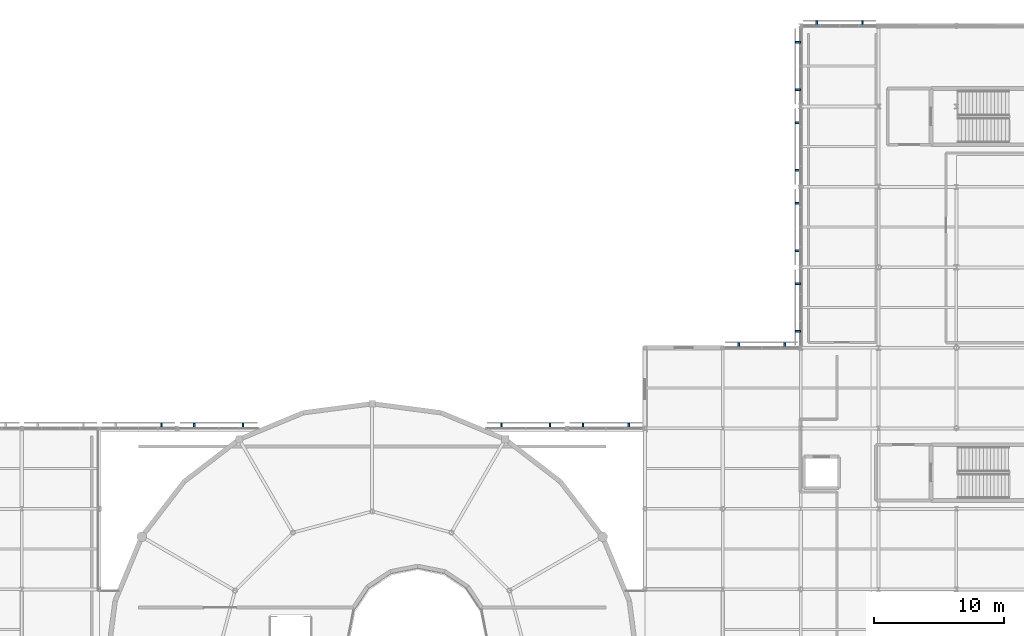
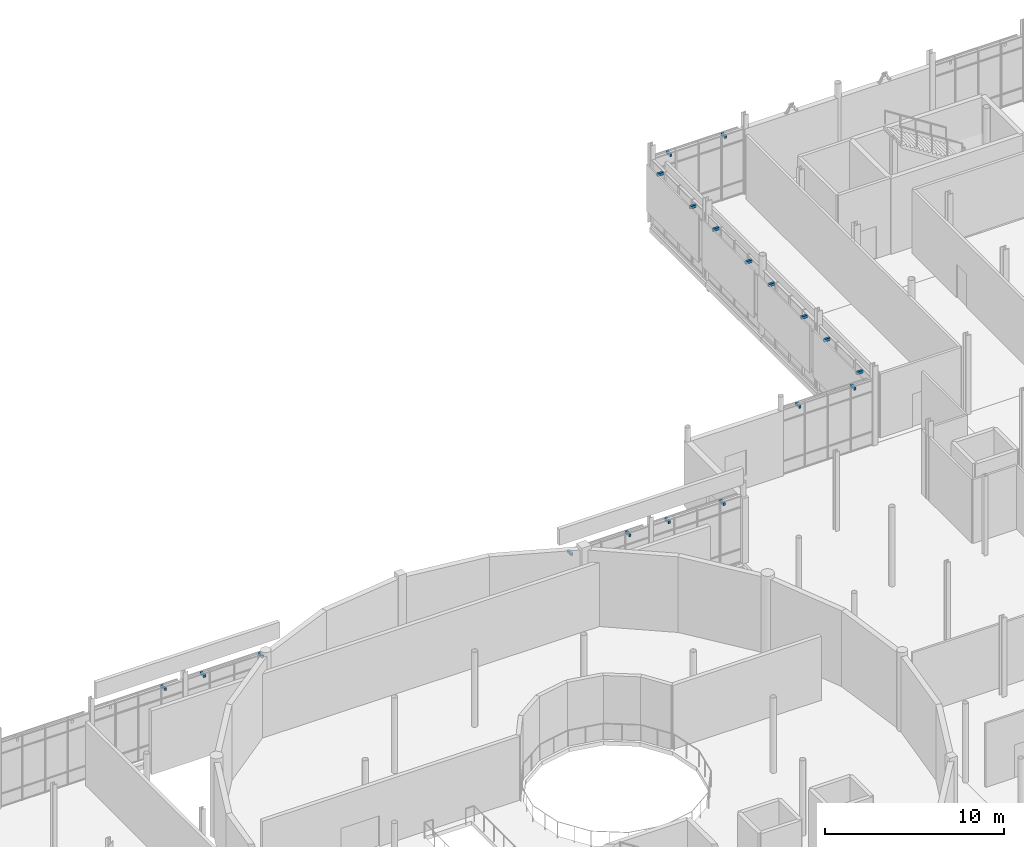
# One storey, part 82 of 105: 19 discrete accessories.
"""IFC4 building model written with IfcOpenShell, lengths in metres."""

import ifcopenshell
import ifcopenshell.guid

model = None  # the IFC model being written
_history = None  # IfcOwnerHistory: only IFC2X3 demands one
_inside = {}  # id of a spatial element -> (the spatial element, [elements in it])
_under = {}  # id of a project, library or spatial element -> (it, [spatial elements below it])
_declared = {}  # id of a project -> (the project, [libraries it declares])
_typed = {}  # id of a type object -> (the type object, [elements of that type])
_made_of = {}  # id of a material, layer set ... -> (it, [elements and type objects made of it])


def new_model(schema):
    """Start an empty IFC model of exactly this schema.

    Asked for "IFC4X3", IfcOpenShell would pick the latest addendum, in which some entities
    have other attributes; the version numbers below select the first issue.
    IFC2X3 requires an IfcOwnerHistory on every rooted entity: one is made here for all.
    """
    global model, _history
    if schema == "IFC4X3":
        model = ifcopenshell.file(schema_version=(4, 3, 0, 0))
    else:
        model = ifcopenshell.file(schema=schema)
    _inside.clear()
    _under.clear()
    _declared.clear()
    _typed.clear()
    _made_of.clear()
    _history = None
    if model.schema == "IFC2X3":
        org = make("IfcOrganization", Name="unknown")
        user = make(
            "IfcPersonAndOrganization",
            ThePerson=make("IfcPerson", FamilyName="unknown"),
            TheOrganization=org,
        )
        app = make(
            "IfcApplication",
            ApplicationDeveloper=org,
            Version="unknown",
            ApplicationFullName="unknown",
            ApplicationIdentifier="unknown",
        )
        _history = make(
            "IfcOwnerHistory",
            OwningUser=user,
            OwningApplication=app,
            ChangeAction="ADDED",
            CreationDate=0,
        )
    return model


def make(cls, **values):
    """One entity of the class cls with the attributes given. An attribute that is None is left unset."""
    return model.create_entity(
        cls, **{name: value for name, value in values.items() if value is not None}
    )


def rooted(cls, **values):
    """An entity with a GlobalId (a new one), such as an element, a storey or a relation."""
    return make(cls, GlobalId=ifcopenshell.guid.new(), OwnerHistory=_history, **values)


def si_unit(unit_type, name, prefix=None):
    """IfcSIUnit, for example si_unit("LENGTHUNIT", "METRE", prefix="MILLI")."""
    return make("IfcSIUnit", UnitType=unit_type, Prefix=prefix, Name=name)


def assignment(units):
    """IfcUnitAssignment: the units of a project."""
    return None if units is None else make("IfcUnitAssignment", Units=units)


def point(xyz):
    """IfcCartesianPoint."""
    return None if xyz is None else make("IfcCartesianPoint", Coordinates=xyz)


def direction(xyz):
    """IfcDirection."""
    return None if xyz is None else make("IfcDirection", DirectionRatios=xyz)


def frame(location, z_axis=None, x_axis=None):
    """IfcAxis2Placement3D, a coordinate frame: its origin and axes. An axis left out is left unset."""
    return make(
        "IfcAxis2Placement3D",
        Location=point(location),
        Axis=direction(z_axis),
        RefDirection=direction(x_axis),
    )


def frame_2d(location, x_axis=None):
    """IfcAxis2Placement2D, a coordinate frame in the plane: its origin and x axis."""
    return make(
        "IfcAxis2Placement2D", Location=point(location), RefDirection=direction(x_axis)
    )


def origin():
    """The frame at (0, 0, 0) with its axes left unset."""
    return frame((0.0, 0.0, 0.0))


def origin_2d():
    """The frame at (0, 0) in the plane with its x axis left unset."""
    return frame_2d((0.0, 0.0))


def place(relative_to, where):
    """IfcLocalPlacement: puts the frame where relative to a parent placement (None: the world)."""
    return make(
        "IfcLocalPlacement", PlacementRelTo=relative_to, RelativePlacement=where
    )


def context(
    kind, dimensions, precision=None, world=None, true_north=None, identifier=None
):
    """IfcGeometricRepresentationContext, for example the 3D "Model" context."""
    return make(
        "IfcGeometricRepresentationContext",
        ContextIdentifier=identifier,
        ContextType=kind,
        CoordinateSpaceDimension=dimensions,
        Precision=precision,
        WorldCoordinateSystem=world,
        TrueNorth=true_north,
    )


def subcontext(parent, identifier, kind, view, scale=None):
    """IfcGeometricRepresentationSubContext, for example "Body" below "Model"."""
    return make(
        "IfcGeometricRepresentationSubContext",
        ContextIdentifier=identifier,
        ContextType=kind,
        ParentContext=parent,
        TargetScale=scale,
        TargetView=view,
    )


def project(units=None, contexts=None):
    """IfcProject with its units and contexts."""
    return rooted(
        "IfcProject",
        Name="project",
        RepresentationContexts=contexts,
        UnitsInContext=assignment(units),
    )


def spatial(cls, under=None, at=None, **own):
    """A site, building, storey or space (cls), placed at a placement, below another one or the project."""
    s = rooted(cls, ObjectPlacement=at, **own)
    if under is not None:
        _under.setdefault(under.id(), (under, []))[1].append(s)
    return s


def profile(cls, at=None, kind="AREA", **sizes):
    """A parametric profile (cls). Its sizes go by their IFC names, for example OverallWidth=200.0."""
    return make(cls, ProfileType=kind, Position=at, **sizes)


def rectangle(**sizes):
    """IfcRectangleProfileDef."""
    return profile("IfcRectangleProfileDef", **sizes)


def extrude(swept, where, along, depth):
    """IfcExtrudedAreaSolid: the profile swept, set in the frame where, extruded along a direction by depth."""
    return make(
        "IfcExtrudedAreaSolid",
        SweptArea=swept,
        Position=where,
        ExtrudedDirection=direction(along),
        Depth=depth,
    )


def shape(context_of_items, identifier, shape_type, items):
    """IfcShapeRepresentation: the items that make up one representation, for example the "Body"."""
    return make(
        "IfcShapeRepresentation",
        ContextOfItems=context_of_items,
        RepresentationIdentifier=identifier,
        RepresentationType=shape_type,
        Items=items,
    )


def material(Name=None, Category=None):
    """IfcMaterial."""
    return make("IfcMaterial", Name=Name, Category=Category)


def made_of(thing, what):
    """Note that an element or type object is made of a material, layer set ...; save() writes the relation."""
    if what is not None:
        _made_of.setdefault(what.id(), (what, []))[1].append(thing)
    return thing


def type_object(cls, material=None, **own):
    """A type object (cls), such as IfcWallType, which elements share."""
    return made_of(rooted(cls, **own), material)


def element(
    cls,
    number,
    at=None,
    inside=None,
    cuts=None,
    type_object=None,
    material=None,
    context=None,
    identifier="Body",
    shape_type=None,
    held_by="IfcProductDefinitionShape",
    body=None,
    shapes=None,
    **own,
):
    """One element of the class cls, such as IfcWall. Its Tag is "e" and its number.

    at: its placement. inside: the storey or other place that contains it. cuts: it is an
    opening in that element (IfcRelVoidsElement). A single representation is given by context,
    identifier, shape_type and body (its items); several are given by shapes. held_by: the class
    of the entity that holds the representations. save() writes the other relations.
    """
    e = rooted(cls, Tag="e%d" % number, ObjectPlacement=at, **own)
    if body is not None:
        shapes = [shape(context, identifier, shape_type, body)]
    if shapes is not None:
        e.Representation = make(held_by, Representations=shapes)
    if inside is not None:
        _inside.setdefault(inside.id(), (inside, []))[1].append(e)
    if cuts is not None:
        rooted(
            "IfcRelVoidsElement", RelatingBuildingElement=cuts, RelatedOpeningElement=e
        )
    if type_object is not None:
        _typed.setdefault(type_object.id(), (type_object, []))[1].append(e)
    return made_of(e, material)


def aggregate(whole, parts):
    """IfcRelAggregates: a whole, such as a stair, and the parts it consists of."""
    return rooted("IfcRelAggregates", RelatingObject=whole, RelatedObjects=parts)


def save(model, path):
    """Write the relations noted so far, then the file.

    IfcRelAggregates (storeys below a building ...), IfcRelContainedInSpatialStructure (elements
    in a storey), IfcRelDefinesByType, IfcRelAssociatesMaterial and IfcRelDeclares: one each for
    every whole, place, type object, material and project.
    """
    for whole, parts in _under.values():
        aggregate(whole, parts)
    for where, things in _inside.values():
        rooted(
            "IfcRelContainedInSpatialStructure",
            RelatedElements=things,
            RelatingStructure=where,
        )
    for kind, things in _typed.values():
        rooted("IfcRelDefinesByType", RelatedObjects=things, RelatingType=kind)
    for what, things in _made_of.values():
        rooted("IfcRelAssociatesMaterial", RelatedObjects=things, RelatingMaterial=what)
    for by, libraries in _declared.values():
        rooted("IfcRelDeclares", RelatingContext=by, RelatedDefinitions=libraries)
    model.write(path)


model = new_model("IFC4")

# Units and contexts
model_context = context("Model", 3, precision=1e-05, world=origin(), true_north=direction((0.0, 1.0)))
body_context = subcontext(model_context, "Body", "Model", "MODEL_VIEW")
ifc_project = project(units=[si_unit("LENGTHUNIT", "METRE"), si_unit("AREAUNIT", "SQUARE_METRE"), si_unit("VOLUMEUNIT", "CUBIC_METRE"), si_unit("PLANEANGLEUNIT", "RADIAN"), si_unit("MASSUNIT", "GRAM", prefix="KILO")], contexts=[model_context])

# Site, building, storey
site_placement = place(None, origin())
site = spatial("IfcSite", under=ifc_project, at=site_placement, CompositionType="ELEMENT")
building_placement = place(site_placement, origin())
building = spatial("IfcBuilding", under=site, at=building_placement, Name="Mirzam Square Science Centre", CompositionType="ELEMENT")
storey_placement = place(building_placement, frame((0.0, 0.0, 5.39990234375)))
storey = spatial("IfcBuildingStorey", under=building, at=storey_placement, Name="L01", CompositionType="ELEMENT", Elevation=5.39990234375)

# Discrete accessories
ifc_material = material(Name="Steel S355", Category="steel")
discrete_accessory_type = type_object("IfcDiscreteAccessoryType", Name="BRK-BRISE-STEEL", PredefinedType="BRACKET", material=ifc_material)
for number, where, z_axis, x_axis, name in (
    (1, (64.76708984375, 80.7900390625, 4.2099609375), (0.0, 0.0, 1.0), (-1.0, 0.0, 0.0), "L01 brise-soleil support bracket 42"),
    (2, (71.047119140625, 80.7900390625, 4.2099609375), (0.0, 0.0, 1.0), (-1.0, 0.0, 0.0), "L01 brise-soleil support bracket 44"),
    (3, (67.302978515625, 80.7900390625, 4.2099609375), (0.0, 0.0, 1.0), (-1.0, 0.0, 0.0), "L01 brise-soleil support bracket 44"),
    (4, (94.697021484375, 80.7900390625, 4.2099609375), (0.0, 0.0, 1.0), (-1.0, 0.0, 0.0), "L01 brise-soleil support bracket 46"),
    (5, (90.952880859375, 80.7900390625, 4.2099609375), (0.0, 0.0, 1.0), (-1.0, 0.0, 0.0), "L01 brise-soleil support bracket 46"),
    (6, (100.76708984375, 80.7900390625, 4.2099609375), (0.0, 0.0, 1.0), (-1.0, 0.0, 0.0), "L01 brise-soleil support bracket 48"),
    (7, (97.23291015625, 80.7900390625, 4.2099609375), (0.0, 0.0, 1.0), (-1.0, 0.0, 0.0), "L01 brise-soleil support bracket 48"),
    (8, (112.76708984375, 86.989990234375, 4.10009765625), (0.0, 0.0, 1.0), (-1.0, 0.0, 0.0), "L01 brise-soleil support bracket 79"),
    (9, (109.23291015625, 86.989990234375, 4.10009765625), (0.0, 0.0, 1.0), (-1.0, 0.0, 0.0), "L01 brise-soleil support bracket 79"),
    (10, (118.76708984375, 111.7900390625, 4.10009765625), (0.0, 0.0, 1.0), (-1.0, 0.0, 0.0), "L01 brise-soleil support bracket 80"),
    (11, (115.23291015625, 111.7900390625, 4.10009765625), (0.0, 0.0, 1.0), (-1.0, 0.0, 0.0), "L01 brise-soleil support bracket 80"),
    (12, (113.81005859375, 91.72705078125, 4.10009765625), (0.0, 0.0, 1.0), (0.0, -1.0, 0.0), "L01 brise-soleil support bracket 82"),
    (13, (113.81005859375, 88.072998046875, 4.10009765625), (0.0, 0.0, 1.0), (0.0, -1.0, 0.0), "L01 brise-soleil support bracket 82"),
    (14, (113.81005859375, 97.927001953125, 4.10009765625), (0.0, 0.0, 1.0), (0.0, -1.0, 0.0), "L01 brise-soleil support bracket 84"),
    (15, (113.81005859375, 94.27294921875, 4.10009765625), (0.0, 0.0, 1.0), (0.0, -1.0, 0.0), "L01 brise-soleil support bracket 84"),
    (16, (113.81005859375, 104.126953125, 4.10009765625), (0.0, 0.0, 1.0), (0.0, -1.0, 0.0), "L01 brise-soleil support bracket 86"),
    (17, (113.81005859375, 100.472900390625, 4.10009765625), (0.0, 0.0, 1.0), (0.0, -1.0, 0.0), "L01 brise-soleil support bracket 86"),
    (18, (113.81005859375, 110.326904296875, 4.10009765625), (0.0, 0.0, 1.0), (0.0, -1.0, 0.0), "L01 brise-soleil support bracket 88"),
    (19, (113.81005859375, 106.673095703125, 4.10009765625), (0.0, 0.0, 1.0), (0.0, -1.0, 0.0), "L01 brise-soleil support bracket 88"),
):
    element("IfcDiscreteAccessory", number, at=place(storey_placement, frame(where, z_axis=z_axis, x_axis=x_axis)), inside=storey, type_object=discrete_accessory_type, Name=name, PredefinedType="BRACKET", context=body_context, shape_type="SweptSolid", body=[
        extrude(rectangle(XDim=0.139892578125, YDim=0.419921875, at=origin_2d()), origin(), (0.0, 0.0, 1.0), 0.179931640625),
    ])

save(model, "model.ifc")
